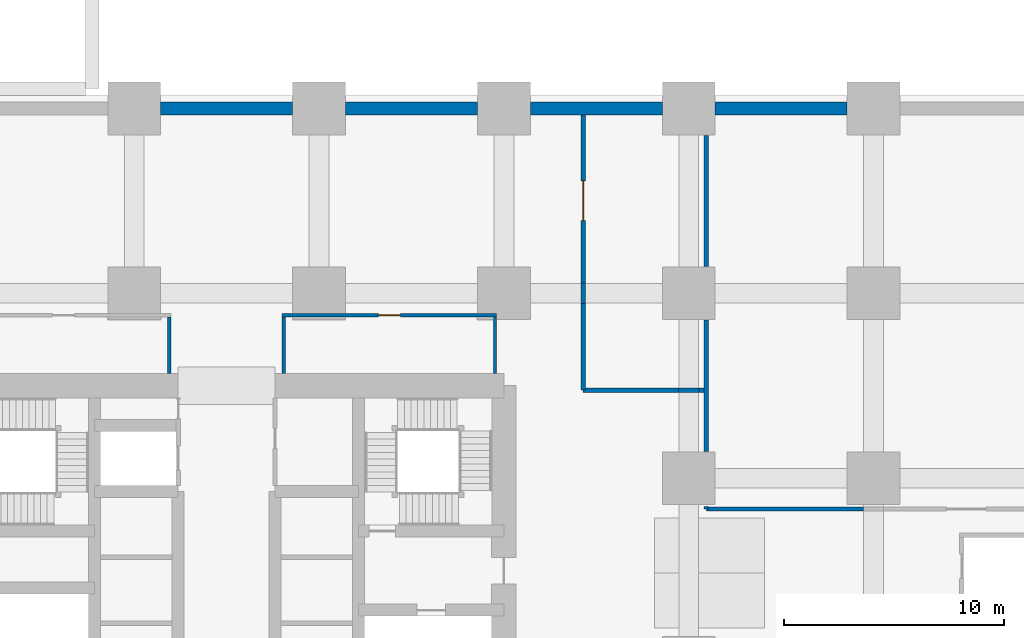
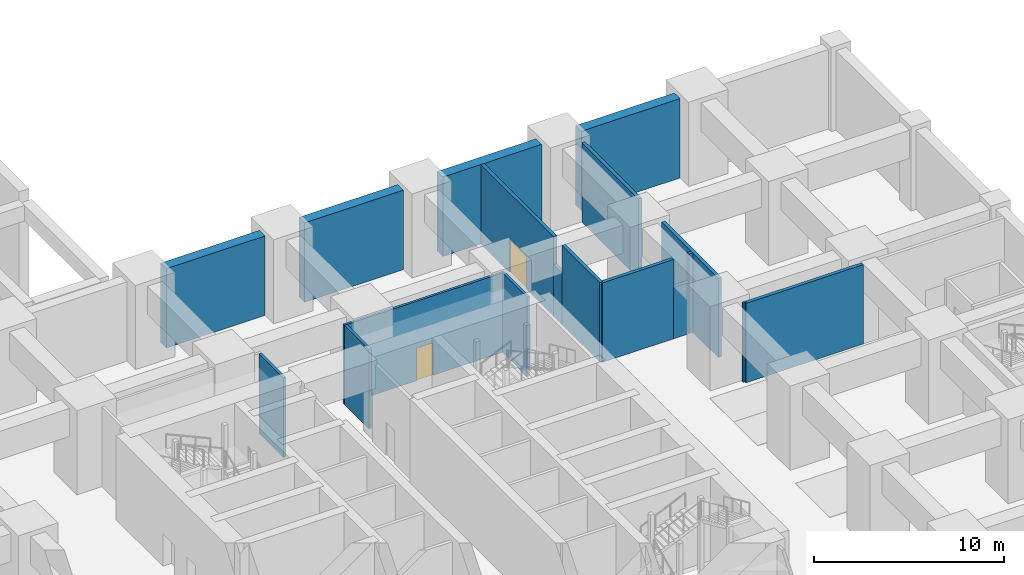
# One storey, part 8 of 20: 18 walls, 2 doors, 2 openings.
"""IFC4 building model written with IfcOpenShell, lengths in metres."""

from ifc_helpers import new_model, si_unit, direction, frame, frame_2d, origin, place, context, subcontext, project, spatial, rectangle, extrude, material, layer, layer_set, type_object, element, fill, save


model = new_model("IFC4")

# Units and contexts
model_context = context("Model", 3, precision=1e-05, world=origin(), true_north=direction((0.0, 1.0)))
body_context = subcontext(model_context, "Body", "Model", "MODEL_VIEW")
ifc_project = project(units=[si_unit("LENGTHUNIT", "METRE"), si_unit("AREAUNIT", "SQUARE_METRE"), si_unit("VOLUMEUNIT", "CUBIC_METRE"), si_unit("PLANEANGLEUNIT", "RADIAN"), si_unit("MASSUNIT", "GRAM", prefix="KILO")], contexts=[model_context])

# Site, building, storey
site_placement = place(None, origin())
site = spatial("IfcSite", under=ifc_project, at=site_placement, CompositionType="ELEMENT")
building_placement = place(site_placement, origin())
building = spatial("IfcBuilding", under=site, at=building_placement, Name="Rekha Terrace Tower", CompositionType="ELEMENT")
storey_placement = place(building_placement, frame((0.0, 0.0, -5.39990234375)))
storey = spatial("IfcBuildingStorey", under=building, at=storey_placement, Name="B-01", CompositionType="ELEMENT", Elevation=-5.39990234375)

# Walls
ifc_material_1 = material(Name="Concrete M40", Category="concrete")
ifc_layer_1 = layer(ifc_material_1, 0.60009765625)
ifc_layer_set_1 = layer_set([ifc_layer_1], Name="Concrete M40")
wall_type_1 = type_object("IfcWallType", Name="RW1 600 basement retaining wall", PredefinedType="SOLIDWALL", material=ifc_layer_set_1)
for number, where, z_axis, x_axis, name in (
    (1, (34.800048828125, 58.800048828125, 0.0), (0.0, 0.0, 1.0), (1.0, 0.0, 0.0), "Basement retaining wall RW1 5H-6H B-01"),
    (2, (43.199951171875, 58.800048828125, 0.0), (0.0, 0.0, 1.0), (1.0, 0.0, 0.0), "Basement retaining wall RW1 6H-7H B-01"),
    (3, (51.60009765625, 58.800048828125, 0.0), (0.0, 0.0, 1.0), (1.0, 0.0, 0.0), "Basement retaining wall RW1 7H-8H B-01"),
    (4, (60.0, 58.800048828125, 0.0), (0.0, 0.0, 1.0), (1.0, 0.0, 0.0), "Basement retaining wall RW1 8H-9H B-01"),
):
    element("IfcWall", number, at=place(storey_placement, frame(where, z_axis=z_axis, x_axis=x_axis)), inside=storey, type_object=wall_type_1, Name=name, PredefinedType="SOLIDWALL", context=body_context, shape_type="SweptSolid", body=[
        extrude(rectangle(XDim=6.0, YDim=0.60009765625, at=frame_2d((3.0, 0.0))), origin(), (0.0, 0.0, 1.0), 5.099853515625),
    ])
ifc_material_2 = material(Name="Solid concrete block masonry, 2 hour", Category="masonry")
ifc_layer_2 = layer(ifc_material_2, 0.199951171875)
ifc_layer_set_2 = layer_set([ifc_layer_2], Name="Solid concrete block masonry, 2 hour")
wall_type_2 = type_object("IfcWallType", Name="WP1 200 plant room wall", PredefinedType="PARTITIONING", material=ifc_layer_set_2)
wall_1_placement = place(storey_placement, frame((66.739990234375, 40.60009765625, 0.0), z_axis=(0.0, 0.0, 1.0), x_axis=(-1.0, 0.0, 0.0)))
element("IfcWall", 5, at=wall_1_placement, inside=storey, type_object=wall_type_2, Name="Partition B-01-03", PredefinedType="PARTITIONING", context=body_context, shape_type="SweptSolid", body=[
    extrude(rectangle(XDim=7.139892578125, YDim=0.199951171875, at=frame_2d((3.56982421875, 0.0))), origin(), (0.0, 0.0, 1.0), 5.099853515625),
])
wall_2_placement = place(storey_placement, frame((59.60009765625, 40.60009765625, 0.0), z_axis=(0.0, 0.0, 1.0), x_axis=(0.0, 1.0, 0.0)))
element("IfcWall", 6, at=wall_2_placement, inside=storey, type_object=wall_type_2, Name="Partition B-01-03", PredefinedType="PARTITIONING", context=body_context, shape_type="SweptSolid", body=[
    extrude(rectangle(XDim=0.10986328125, YDim=0.199951171875, at=frame_2d((0.054931640625, 0.0))), origin(), (0.0, 0.0, 1.0), 5.099853515625),
])
for number, where, z_axis, x_axis, name in (
    (7, (59.60009765625, 43.219970703125, 0.0), (0.0, 0.0, 1.0), (0.0, 1.0, 0.0), "Partition B-01-03"),
    (8, (59.60009765625, 51.6201171875, 0.0), (0.0, 0.0, 1.0), (0.0, 1.0, 0.0), "Partition B-01-03"),
):
    element("IfcWall", number, at=place(storey_placement, frame(where, z_axis=z_axis, x_axis=x_axis)), inside=storey, type_object=wall_type_2, Name=name, PredefinedType="PARTITIONING", context=body_context, shape_type="SweptSolid", body=[
        extrude(rectangle(XDim=5.9599609375, YDim=0.199951171875, at=frame_2d((2.97998046875, 0.0))), origin(), (0.0, 0.0, 1.0), 5.099853515625),
    ])
wall_3_placement = place(storey_placement, frame((59.5, 46.0, 0.0), z_axis=(0.0, 0.0, 1.0), x_axis=(-1.0, 0.0, 0.0)))
element("IfcWall", 9, at=wall_3_placement, inside=storey, type_object=wall_type_2, Name="Partition B-01-04", PredefinedType="PARTITIONING", context=body_context, shape_type="SweptSolid", body=[
    extrude(rectangle(XDim=0.239990234375, YDim=0.199951171875, at=frame_2d((0.1201171875, 0.0))), origin(), (0.0, 0.0, 1.0), 5.099853515625),
])
wall_4_placement = place(storey_placement, frame((59.260009765625, 46.0, 0.0), z_axis=(0.0, 0.0, 1.0), x_axis=(-1.0, 0.0, 0.0)))
element("IfcWall", 10, at=wall_4_placement, inside=storey, type_object=wall_type_2, Name="Partition B-01-04", PredefinedType="PARTITIONING", context=body_context, shape_type="SweptSolid", body=[
    extrude(rectangle(XDim=0.919921875, YDim=0.199951171875, at=frame_2d((0.4599609375, 0.0))), origin(), (0.0, 0.0, 1.0), 3.2998046875),
])
wall_5_placement = place(storey_placement, frame((58.340087890625, 46.0, 0.0), z_axis=(0.0, 0.0, 1.0), x_axis=(-1.0, 0.0, 0.0)))
element("IfcWall", 11, at=wall_5_placement, inside=storey, type_object=wall_type_2, Name="Partition B-01-04", PredefinedType="PARTITIONING", context=body_context, shape_type="SweptSolid", body=[
    extrude(rectangle(XDim=4.340087890625, YDim=0.199951171875, at=frame_2d((2.169921875, 0.0))), origin(), (0.0, 0.0, 1.0), 5.099853515625),
])
wall_6_placement = place(storey_placement, frame((54.0, 46.0, 0.0), z_axis=(0.0, 0.0, 1.0), x_axis=(0.0, 1.0, 0.0)))
element("IfcWall", 12, at=wall_6_placement, inside=storey, type_object=wall_type_2, Name="Partition B-01-04", PredefinedType="PARTITIONING", context=body_context, shape_type="SweptSolid", body=[
    extrude(rectangle(XDim=3.93994140625, YDim=0.199951171875, at=frame_2d((1.969970703125, 0.0))), origin(), (0.0, 0.0, 1.0), 5.099853515625),
])
wall_7_placement = place(storey_placement, frame((54.0, 49.93994140625, 0.0), z_axis=(0.0, 0.0, 1.0), x_axis=(0.0, 1.0, 0.0)))
element("IfcWall", 13, at=wall_7_placement, inside=storey, type_object=wall_type_2, Name="Partition B-01-04", PredefinedType="PARTITIONING", context=body_context, shape_type="SweptSolid", body=[
    extrude(rectangle(XDim=0.920166015625, YDim=0.199951171875, at=frame_2d((0.4599609375, 0.0))), origin(), (0.0, 0.0, 1.0), 3.2998046875),
])

# Wall, opening, door
wall_8_placement = place(storey_placement, frame((54.0, 50.860107421875, 0.0), z_axis=(0.0, 0.0, 1.0), x_axis=(0.0, 1.0, 0.0)))
wall_8 = element("IfcWall", 14, at=wall_8_placement, inside=storey, type_object=wall_type_2, Name="Partition B-01-04", PredefinedType="PARTITIONING", context=body_context, shape_type="SweptSolid", body=[
    extrude(rectangle(XDim=7.639892578125, YDim=0.199951171875, at=frame_2d((3.81982421875, 0.0))), origin(), (0.0, 0.0, 1.0), 5.099853515625),
])
opening_1_placement = place(wall_8_placement, frame((2.844970703125, 0.0, 0.0)))
opening_1 = element("IfcOpeningElement", 15, at=opening_1_placement, cuts=wall_8, Name="Opening D8", PredefinedType="OPENING", context=body_context, shape_type="SweptSolid", body=[
    extrude(rectangle(XDim=1.800048828125, YDim=2.10009765625, at=frame_2d((0.89990234375, 1.050048828125))), frame((0.0, 0.10986328125, 0.0), z_axis=(0.0, -1.0, 0.0), x_axis=(1.0, 0.0, 0.0)), (0.0, 0.0, 1.0), 0.219970703125),
])
ifc_material_3 = material(Name="Timber fire door", Category="wood")
door_type_1 = type_object("IfcDoorType", Name="D8 1800x2100 double leaf door", OperationType="DOUBLE_DOOR_SINGLE_SWING", PredefinedType="DOOR", material=ifc_material_3)
door_1_placement = place(opening_1_placement, origin())
door_1 = element("IfcDoor", 16, at=door_1_placement, inside=storey, type_object=door_type_1, Name="Door refuse store B-01", OperationType="DOUBLE_DOOR_SINGLE_SWING", OverallHeight=2.10009765625, OverallWidth=1.800048828125, PredefinedType="DOOR", context=body_context, shape_type="SweptSolid", body=[
    extrude(rectangle(XDim=1.800048828125, YDim=2.10009765625, at=frame_2d((0.89990234375, 1.050048828125))), frame((0.0, 0.02490234375, 0.0), z_axis=(0.0, -1.0, 0.0), x_axis=(1.0, 0.0, 0.0)), (0.0, 0.0, 1.0), 0.050048828125),
])
fill(opening_1, door_1)

ifc_material_4 = material(Name="Concrete block masonry, 1 hour", Category="masonry")
ifc_layer_3 = layer(ifc_material_4, 0.14990234375)
ifc_layer_set_3 = layer_set([ifc_layer_3], Name="Concrete block masonry, 1 hour")
wall_type_3 = type_object("IfcWallType", Name="WP2 150 tenancy partition", PredefinedType="PARTITIONING", material=ifc_layer_set_3)
wall_9_placement = place(storey_placement, frame((40.324951171875, 49.39990234375, 0.0), z_axis=(0.0, 0.0, 1.0), x_axis=(1.0, 0.0, 0.0)))
wall_9 = element("IfcWall", 17, at=wall_9_placement, inside=storey, type_object=wall_type_3, Name="Women's WC wall B-01", PredefinedType="PARTITIONING", context=body_context, shape_type="SweptSolid", body=[
    extrude(rectangle(XDim=9.75, YDim=0.14990234375, at=frame_2d((4.875, 0.0))), origin(), (0.0, 0.0, 1.0), 5.099853515625),
])
opening_2_placement = place(wall_9_placement, frame((4.375, 0.0, 0.0)))
opening_2 = element("IfcOpeningElement", 18, at=opening_2_placement, cuts=wall_9, Name="Opening D3", PredefinedType="OPENING", context=body_context, shape_type="SweptSolid", body=[
    extrude(rectangle(XDim=1.0, YDim=2.10009765625, at=frame_2d((0.5, 1.050048828125))), frame((0.0, 0.0849609375, 0.0), z_axis=(0.0, -1.0, 0.0), x_axis=(1.0, 0.0, 0.0)), (0.0, 0.0, 1.0), 0.169921875),
])
ifc_material_5 = material(Name="Laminated timber fire door", Category="wood")
door_type_2 = type_object("IfcDoorType", Name="D3 1000x2100 WC door", OperationType="SINGLE_SWING_LEFT", PredefinedType="DOOR", material=ifc_material_5)
door_2_placement = place(opening_2_placement, origin())
door_2 = element("IfcDoor", 19, at=door_2_placement, inside=storey, type_object=door_type_2, Name="Door women's wc B-01", OperationType="SINGLE_SWING_LEFT", OverallHeight=2.10009765625, OverallWidth=1.0, PredefinedType="DOOR", context=body_context, shape_type="SweptSolid", body=[
    extrude(rectangle(XDim=1.0, YDim=2.10009765625, at=frame_2d((0.5, 1.050048828125))), frame((0.0, 0.02490234375, 0.0), z_axis=(0.0, -1.0, 0.0), x_axis=(1.0, 0.0, 0.0)), (0.0, 0.0, 1.0), 0.050048828125),
])
fill(opening_2, door_2)

# Walls
for number, where, z_axis, x_axis, name in (
    (20, (40.39990234375, 46.75, 0.0), (0.0, 0.0, 1.0), (0.0, 1.0, 0.0), "Women's WC wall B-01"),
    (21, (50.0, 46.75, 0.0), (0.0, 0.0, 1.0), (0.0, 1.0, 0.0), "Women's WC wall B-01"),
    (22, (35.199951171875, 46.75, 0.0), (0.0, 0.0, 1.0), (0.0, 1.0, 0.0), "Women's WC wall B-01"),
):
    element("IfcWall", number, at=place(storey_placement, frame(where, z_axis=z_axis, x_axis=x_axis)), inside=storey, type_object=wall_type_3, Name=name, PredefinedType="PARTITIONING", context=body_context, shape_type="SweptSolid", body=[
        extrude(rectangle(XDim=2.574951171875, YDim=0.14990234375, at=frame_2d((1.28759765625, 0.0))), origin(), (0.0, 0.0, 1.0), 5.099853515625),
    ])

save(model, "model.ifc")
